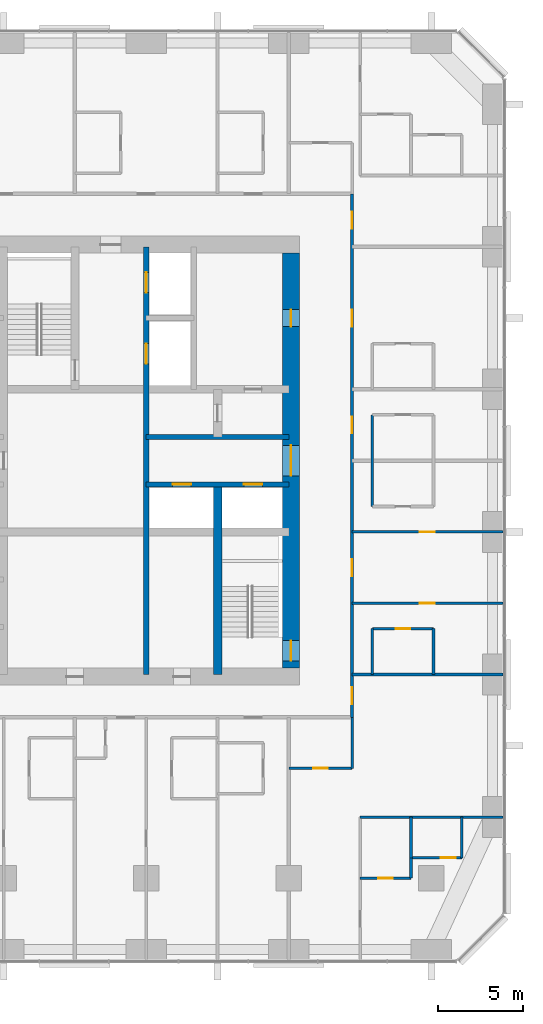
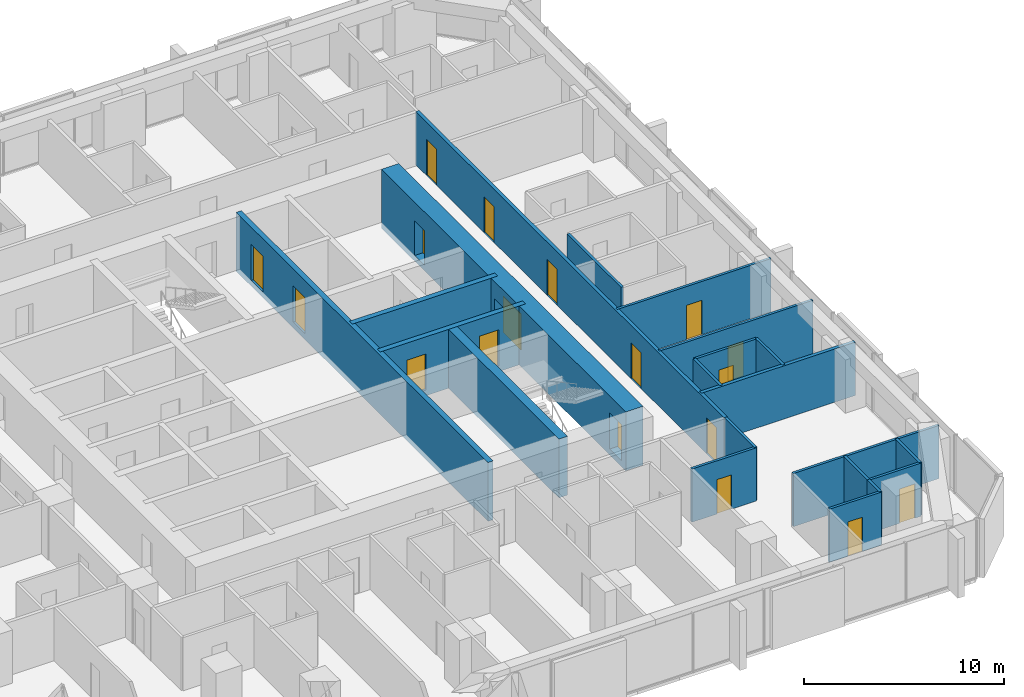
# One storey, part 10 of 14: 21 walls, 18 doors, 18 openings.
"""IFC4 building model written with IfcOpenShell, lengths in metres."""

import ifcopenshell
import ifcopenshell.guid

model = None  # the IFC model being written
_history = None  # IfcOwnerHistory: only IFC2X3 demands one
_inside = {}  # id of a spatial element -> (the spatial element, [elements in it])
_under = {}  # id of a project, library or spatial element -> (it, [spatial elements below it])
_declared = {}  # id of a project -> (the project, [libraries it declares])
_typed = {}  # id of a type object -> (the type object, [elements of that type])
_made_of = {}  # id of a material, layer set ... -> (it, [elements and type objects made of it])


def new_model(schema):
    """Start an empty IFC model of exactly this schema.

    Asked for "IFC4X3", IfcOpenShell would pick the latest addendum, in which some entities
    have other attributes; the version numbers below select the first issue.
    IFC2X3 requires an IfcOwnerHistory on every rooted entity: one is made here for all.
    """
    global model, _history
    if schema == "IFC4X3":
        model = ifcopenshell.file(schema_version=(4, 3, 0, 0))
    else:
        model = ifcopenshell.file(schema=schema)
    _inside.clear()
    _under.clear()
    _declared.clear()
    _typed.clear()
    _made_of.clear()
    _history = None
    if model.schema == "IFC2X3":
        org = make("IfcOrganization", Name="unknown")
        user = make(
            "IfcPersonAndOrganization",
            ThePerson=make("IfcPerson", FamilyName="unknown"),
            TheOrganization=org,
        )
        app = make(
            "IfcApplication",
            ApplicationDeveloper=org,
            Version="unknown",
            ApplicationFullName="unknown",
            ApplicationIdentifier="unknown",
        )
        _history = make(
            "IfcOwnerHistory",
            OwningUser=user,
            OwningApplication=app,
            ChangeAction="ADDED",
            CreationDate=0,
        )
    return model


def make(cls, **values):
    """One entity of the class cls with the attributes given. An attribute that is None is left unset."""
    return model.create_entity(
        cls, **{name: value for name, value in values.items() if value is not None}
    )


def rooted(cls, **values):
    """An entity with a GlobalId (a new one), such as an element, a storey or a relation."""
    return make(cls, GlobalId=ifcopenshell.guid.new(), OwnerHistory=_history, **values)


def si_unit(unit_type, name, prefix=None):
    """IfcSIUnit, for example si_unit("LENGTHUNIT", "METRE", prefix="MILLI")."""
    return make("IfcSIUnit", UnitType=unit_type, Prefix=prefix, Name=name)


def assignment(units):
    """IfcUnitAssignment: the units of a project."""
    return None if units is None else make("IfcUnitAssignment", Units=units)


def point(xyz):
    """IfcCartesianPoint."""
    return None if xyz is None else make("IfcCartesianPoint", Coordinates=xyz)


def direction(xyz):
    """IfcDirection."""
    return None if xyz is None else make("IfcDirection", DirectionRatios=xyz)


def frame(location, z_axis=None, x_axis=None):
    """IfcAxis2Placement3D, a coordinate frame: its origin and axes. An axis left out is left unset."""
    return make(
        "IfcAxis2Placement3D",
        Location=point(location),
        Axis=direction(z_axis),
        RefDirection=direction(x_axis),
    )


def frame_2d(location, x_axis=None):
    """IfcAxis2Placement2D, a coordinate frame in the plane: its origin and x axis."""
    return make(
        "IfcAxis2Placement2D", Location=point(location), RefDirection=direction(x_axis)
    )


def origin():
    """The frame at (0, 0, 0) with its axes left unset."""
    return frame((0.0, 0.0, 0.0))


def place(relative_to, where):
    """IfcLocalPlacement: puts the frame where relative to a parent placement (None: the world)."""
    return make(
        "IfcLocalPlacement", PlacementRelTo=relative_to, RelativePlacement=where
    )


def context(
    kind, dimensions, precision=None, world=None, true_north=None, identifier=None
):
    """IfcGeometricRepresentationContext, for example the 3D "Model" context."""
    return make(
        "IfcGeometricRepresentationContext",
        ContextIdentifier=identifier,
        ContextType=kind,
        CoordinateSpaceDimension=dimensions,
        Precision=precision,
        WorldCoordinateSystem=world,
        TrueNorth=true_north,
    )


def subcontext(parent, identifier, kind, view, scale=None):
    """IfcGeometricRepresentationSubContext, for example "Body" below "Model"."""
    return make(
        "IfcGeometricRepresentationSubContext",
        ContextIdentifier=identifier,
        ContextType=kind,
        ParentContext=parent,
        TargetScale=scale,
        TargetView=view,
    )


def project(units=None, contexts=None):
    """IfcProject with its units and contexts."""
    return rooted(
        "IfcProject",
        Name="project",
        RepresentationContexts=contexts,
        UnitsInContext=assignment(units),
    )


def spatial(cls, under=None, at=None, **own):
    """A site, building, storey or space (cls), placed at a placement, below another one or the project."""
    s = rooted(cls, ObjectPlacement=at, **own)
    if under is not None:
        _under.setdefault(under.id(), (under, []))[1].append(s)
    return s


def profile(cls, at=None, kind="AREA", **sizes):
    """A parametric profile (cls). Its sizes go by their IFC names, for example OverallWidth=200.0."""
    return make(cls, ProfileType=kind, Position=at, **sizes)


def rectangle(**sizes):
    """IfcRectangleProfileDef."""
    return profile("IfcRectangleProfileDef", **sizes)


def extrude(swept, where, along, depth):
    """IfcExtrudedAreaSolid: the profile swept, set in the frame where, extruded along a direction by depth."""
    return make(
        "IfcExtrudedAreaSolid",
        SweptArea=swept,
        Position=where,
        ExtrudedDirection=direction(along),
        Depth=depth,
    )


def shape(context_of_items, identifier, shape_type, items):
    """IfcShapeRepresentation: the items that make up one representation, for example the "Body"."""
    return make(
        "IfcShapeRepresentation",
        ContextOfItems=context_of_items,
        RepresentationIdentifier=identifier,
        RepresentationType=shape_type,
        Items=items,
    )


def material(Name=None, Category=None):
    """IfcMaterial."""
    return make("IfcMaterial", Name=Name, Category=Category)


def layer(
    of_material, thickness, ventilated=None, Name=None, Category=None, Priority=None
):
    """IfcMaterialLayer: one layer of a wall or slab, of a material (None: an air gap)."""
    return make(
        "IfcMaterialLayer",
        Material=of_material,
        LayerThickness=thickness,
        IsVentilated=ventilated,
        Name=Name,
        Category=Category,
        Priority=Priority,
    )


def layer_set(layers, Name=None):
    """IfcMaterialLayerSet."""
    return make("IfcMaterialLayerSet", MaterialLayers=layers, LayerSetName=Name)


def made_of(thing, what):
    """Note that an element or type object is made of a material, layer set ...; save() writes the relation."""
    if what is not None:
        _made_of.setdefault(what.id(), (what, []))[1].append(thing)
    return thing


def type_object(cls, material=None, **own):
    """A type object (cls), such as IfcWallType, which elements share."""
    return made_of(rooted(cls, **own), material)


def element(
    cls,
    number,
    at=None,
    inside=None,
    cuts=None,
    type_object=None,
    material=None,
    context=None,
    identifier="Body",
    shape_type=None,
    held_by="IfcProductDefinitionShape",
    body=None,
    shapes=None,
    **own,
):
    """One element of the class cls, such as IfcWall. Its Tag is "e" and its number.

    at: its placement. inside: the storey or other place that contains it. cuts: it is an
    opening in that element (IfcRelVoidsElement). A single representation is given by context,
    identifier, shape_type and body (its items); several are given by shapes. held_by: the class
    of the entity that holds the representations. save() writes the other relations.
    """
    e = rooted(cls, Tag="e%d" % number, ObjectPlacement=at, **own)
    if body is not None:
        shapes = [shape(context, identifier, shape_type, body)]
    if shapes is not None:
        e.Representation = make(held_by, Representations=shapes)
    if inside is not None:
        _inside.setdefault(inside.id(), (inside, []))[1].append(e)
    if cuts is not None:
        rooted(
            "IfcRelVoidsElement", RelatingBuildingElement=cuts, RelatedOpeningElement=e
        )
    if type_object is not None:
        _typed.setdefault(type_object.id(), (type_object, []))[1].append(e)
    return made_of(e, material)


def fill(opening, filler):
    """IfcRelFillsElement: the door or window that sits in an opening."""
    return rooted(
        "IfcRelFillsElement",
        RelatingOpeningElement=opening,
        RelatedBuildingElement=filler,
    )


def aggregate(whole, parts):
    """IfcRelAggregates: a whole, such as a stair, and the parts it consists of."""
    return rooted("IfcRelAggregates", RelatingObject=whole, RelatedObjects=parts)


def save(model, path):
    """Write the relations noted so far, then the file.

    IfcRelAggregates (storeys below a building ...), IfcRelContainedInSpatialStructure (elements
    in a storey), IfcRelDefinesByType, IfcRelAssociatesMaterial and IfcRelDeclares: one each for
    every whole, place, type object, material and project.
    """
    for whole, parts in _under.values():
        aggregate(whole, parts)
    for where, things in _inside.values():
        rooted(
            "IfcRelContainedInSpatialStructure",
            RelatedElements=things,
            RelatingStructure=where,
        )
    for kind, things in _typed.values():
        rooted("IfcRelDefinesByType", RelatedObjects=things, RelatingType=kind)
    for what, things in _made_of.values():
        rooted("IfcRelAssociatesMaterial", RelatedObjects=things, RelatingMaterial=what)
    for by, libraries in _declared.values():
        rooted("IfcRelDeclares", RelatingContext=by, RelatedDefinitions=libraries)
    model.write(path)


model = new_model("IFC4")

# Units and contexts
model_context = context("Model", 3, precision=1e-05, world=origin(), true_north=direction((0.0, 1.0)))
body_context = subcontext(model_context, "Body", "Model", "MODEL_VIEW")
ifc_project = project(units=[si_unit("LENGTHUNIT", "METRE"), si_unit("AREAUNIT", "SQUARE_METRE"), si_unit("VOLUMEUNIT", "CUBIC_METRE"), si_unit("PLANEANGLEUNIT", "RADIAN"), si_unit("MASSUNIT", "GRAM", prefix="KILO")], contexts=[model_context])

# Site, building, storey
site_placement = place(None, origin())
site = spatial("IfcSite", under=ifc_project, at=site_placement, CompositionType="ELEMENT")
building_placement = place(site_placement, origin())
building = spatial("IfcBuilding", under=site, at=building_placement, Name="Dunama Terrace Hotel", CompositionType="ELEMENT")
storey_placement = place(building_placement, frame((0.0, 0.0, 133.199951171875)))
storey = spatial("IfcBuildingStorey", under=building, at=storey_placement, Name="L34", CompositionType="ELEMENT", Elevation=133.199951171875)

# Walls
ifc_material_1 = material(Name="Gypsum board partition", Category="masonry")
ifc_layer_1 = layer(ifc_material_1, 0.14990234375)
ifc_layer_set_1 = layer_set([ifc_layer_1], Name="Bathroom partition 150")
wall_type_1 = type_object("IfcWallType", Name="Bathroom partition 150", PredefinedType="PARTITIONING", material=ifc_layer_set_1)
wall_1_placement = place(storey_placement, frame((45.72509765625, 11.27490234375, 0.0), z_axis=(0.0, 0.0, 1.0), x_axis=(0.0, 1.0, 0.0)))
element("IfcWall", 1, at=wall_1_placement, inside=storey, type_object=wall_type_1, Name="Bathroom partition 150 L34", PredefinedType="PARTITIONING", context=body_context, shape_type="SweptSolid", body=[
    extrude(rectangle(XDim=3.0, YDim=0.14990234375, at=frame_2d((1.5, 0.0))), origin(), (0.0, 0.0, 1.0), 3.25),
])
wall_2_placement = place(storey_placement, frame((46.925048828125, 16.800048828125, 0.0), z_axis=(0.0, 0.0, 1.0), x_axis=(0.0, 1.0, 0.0)))
element("IfcWall", 2, at=wall_2_placement, inside=storey, type_object=wall_type_1, Name="Bathroom partition 150 L34", PredefinedType="PARTITIONING", context=body_context, shape_type="SweptSolid", body=[
    extrude(rectangle(XDim=2.699951171875, YDim=0.14990234375, at=frame_2d((1.35009765625, 0.0))), origin(), (0.0, 0.0, 1.0), 3.25),
])
wall_3_placement = place(storey_placement, frame((46.925048828125, 26.699951171875, 0.0), z_axis=(0.0, 0.0, 1.0), x_axis=(0.0, 1.0, 0.0)))
element("IfcWall", 3, at=wall_3_placement, inside=storey, type_object=wall_type_1, Name="Bathroom partition 150 L34", PredefinedType="PARTITIONING", context=body_context, shape_type="SweptSolid", body=[
    extrude(rectangle(XDim=5.400146484375, YDim=0.14990234375, at=frame_2d((2.7001953125, 0.0))), origin(), (0.0, 0.0, 1.0), 3.25),
])
wall_4_placement = place(storey_placement, frame((49.199951171875, 4.800048828125, 0.0), z_axis=(0.0, 0.0, 1.0), x_axis=(0.0, 1.0, 0.0)))
element("IfcWall", 4, at=wall_4_placement, inside=storey, type_object=wall_type_1, Name="Bathroom partition 150 L34", PredefinedType="PARTITIONING", context=body_context, shape_type="SweptSolid", body=[
    extrude(rectangle(XDim=1.199951171875, YDim=0.14990234375, at=frame_2d((0.60009765625, 0.0))), origin(), (0.0, 0.0, 1.0), 3.25),
])
wall_5_placement = place(storey_placement, frame((50.52490234375, 16.800048828125, 0.0), z_axis=(0.0, 0.0, 1.0), x_axis=(0.0, 1.0, 0.0)))
element("IfcWall", 5, at=wall_5_placement, inside=storey, type_object=wall_type_1, Name="Bathroom partition 150 L34", PredefinedType="PARTITIONING", context=body_context, shape_type="SweptSolid", body=[
    extrude(rectangle(XDim=2.699951171875, YDim=0.14990234375, at=frame_2d((1.35009765625, 0.0))), origin(), (0.0, 0.0, 1.0), 3.25),
])

# Wall, opening, door
wall_6_placement = place(storey_placement, frame((46.199951171875, 4.800048828125, 0.0), z_axis=(0.0, 0.0, 1.0), x_axis=(1.0, 0.0, 0.0)))
wall_6 = element("IfcWall", 6, at=wall_6_placement, inside=storey, type_object=wall_type_1, Name="Bathroom partition 150 L34", PredefinedType="PARTITIONING", context=body_context, shape_type="SweptSolid", body=[
    extrude(rectangle(XDim=3.0, YDim=0.14990234375, at=frame_2d((1.5, 0.0))), origin(), (0.0, 0.0, 1.0), 3.25),
])
opening_1_placement = place(wall_6_placement, frame((1.074951171875, 0.0, 0.0)))
opening_1 = element("IfcOpeningElement", 7, at=opening_1_placement, cuts=wall_6, Name="Opening L34-36-058", PredefinedType="OPENING", context=body_context, shape_type="SweptSolid", body=[
    extrude(rectangle(XDim=0.85009765625, YDim=2.10009765625, at=frame_2d((0.425048828125, 1.050048828125))), frame((0.0, 0.0849609375, 0.0), z_axis=(0.0, -1.0, 0.0), x_axis=(1.0, 0.0, 0.0)), (0.0, 0.0, 1.0), 0.169921875),
])
ifc_material_2 = material(Name="Timber door with steel frame", Category="steel")
door_type_1 = type_object("IfcDoorType", Name="Bathroom door 850", OperationType="SINGLE_SWING_LEFT", PredefinedType="DOOR", material=ifc_material_2)
door_1_placement = place(opening_1_placement, origin())
door_1 = element("IfcDoor", 8, at=door_1_placement, inside=storey, type_object=door_type_1, Name="Door to en-suite bathroom L34-36-058, type D2", OperationType="SINGLE_SWING_RIGHT", OverallHeight=2.10009765625, OverallWidth=0.85009765625, PredefinedType="DOOR", context=body_context, shape_type="SweptSolid", body=[
    extrude(rectangle(XDim=0.85009765625, YDim=2.10009765625, at=frame_2d((0.425048828125, 1.050048828125))), frame((0.0, 0.02490234375, 0.0), z_axis=(0.0, -1.0, 0.0), x_axis=(1.0, 0.0, 0.0)), (0.0, 0.0, 1.0), 0.050048828125),
])
fill(opening_1, door_1)

wall_7_placement = place(storey_placement, frame((42.0, 11.27490234375, 0.0), z_axis=(0.0, 0.0, 1.0), x_axis=(1.0, 0.0, 0.0)))
wall_7 = element("IfcWall", 9, at=wall_7_placement, inside=storey, type_object=wall_type_1, Name="Bathroom partition 150 L34", PredefinedType="PARTITIONING", context=body_context, shape_type="SweptSolid", body=[
    extrude(rectangle(XDim=3.72509765625, YDim=0.14990234375, at=frame_2d((1.862548828125, 0.0))), origin(), (0.0, 0.0, 1.0), 3.25),
])
opening_2_placement = place(wall_7_placement, frame((1.43798828125, 0.0, 0.0)))
opening_2 = element("IfcOpeningElement", 10, at=opening_2_placement, cuts=wall_7, Name="Opening L34-36-056", PredefinedType="OPENING", context=body_context, shape_type="SweptSolid", body=[
    extrude(rectangle(XDim=0.85009765625, YDim=2.10009765625, at=frame_2d((0.425048828125, 1.050048828125))), frame((0.0, 0.0849609375, 0.0), z_axis=(0.0, -1.0, 0.0), x_axis=(1.0, 0.0, 0.0)), (0.0, 0.0, 1.0), 0.169921875),
])
door_2_placement = place(opening_2_placement, origin())
door_2 = element("IfcDoor", 11, at=door_2_placement, inside=storey, type_object=door_type_1, Name="Door to powder room L34-36-056, type D2", OperationType="SINGLE_SWING_LEFT", OverallHeight=2.10009765625, OverallWidth=0.85009765625, PredefinedType="DOOR", context=body_context, shape_type="SweptSolid", body=[
    extrude(rectangle(XDim=0.85009765625, YDim=2.10009765625, at=frame_2d((0.425048828125, 1.050048828125))), frame((0.0, 0.02490234375, 0.0), z_axis=(0.0, -1.0, 0.0), x_axis=(1.0, 0.0, 0.0)), (0.0, 0.0, 1.0), 0.050048828125),
])
fill(opening_2, door_2)

wall_8_placement = place(storey_placement, frame((46.925048828125, 19.5, 0.0), z_axis=(0.0, 0.0, 1.0), x_axis=(1.0, 0.0, 0.0)))
wall_8 = element("IfcWall", 12, at=wall_8_placement, inside=storey, type_object=wall_type_1, Name="Bathroom partition 150 L34", PredefinedType="PARTITIONING", context=body_context, shape_type="SweptSolid", body=[
    extrude(rectangle(XDim=3.599853515625, YDim=0.14990234375, at=frame_2d((1.7998046875, 0.0))), origin(), (0.0, 0.0, 1.0), 3.25),
])
opening_3_placement = place(wall_8_placement, frame((1.375, 0.0, 0.0)))
opening_3 = element("IfcOpeningElement", 13, at=opening_3_placement, cuts=wall_8, Name="Opening L34-36-025", PredefinedType="OPENING", context=body_context, shape_type="SweptSolid", body=[
    extrude(rectangle(XDim=0.85009765625, YDim=2.10009765625, at=frame_2d((0.425048828125, 1.050048828125))), frame((0.0, 0.0849609375, 0.0), z_axis=(0.0, -1.0, 0.0), x_axis=(1.0, 0.0, 0.0)), (0.0, 0.0, 1.0), 0.169921875),
])
door_3_placement = place(opening_3_placement, frame((0.85009765625, 0.0, 0.0), z_axis=(0.0, 0.0, 1.0), x_axis=(-1.0, 0.0, 0.0)))
door_3 = element("IfcDoor", 14, at=door_3_placement, inside=storey, type_object=door_type_1, Name="Door to en-suite bathroom L34-36-025, type D2", OperationType="SINGLE_SWING_RIGHT", OverallHeight=2.10009765625, OverallWidth=0.85009765625, PredefinedType="DOOR", context=body_context, shape_type="SweptSolid", body=[
    extrude(rectangle(XDim=0.85009765625, YDim=2.10009765625, at=frame_2d((0.425048828125, 1.050048828125))), frame((0.0, 0.025146484375, 0.0), z_axis=(0.0, -1.0, 0.0), x_axis=(1.0, 0.0, 0.0)), (0.0, 0.0, 1.0), 0.050048828125),
])
fill(opening_3, door_3)

# Wall, openings, doors
ifc_material_3 = material(Name="Concrete C50/60", Category="concrete")
ifc_layer_2 = layer(ifc_material_3, 0.300048828125)
ifc_layer_set_2 = layer_set([ifc_layer_2], Name="Core inner wall 300")
wall_type_2 = type_object("IfcWallType", Name="Core inner wall 300", PredefinedType="SHEAR", material=ifc_layer_set_2)
wall_9_placement = place(storey_placement, frame((33.60009765625, 16.800048828125, -0.349853515625), z_axis=(0.0, 0.0, 1.0), x_axis=(0.0, 1.0, 0.0)))
wall_9 = element("IfcWall", 15, at=wall_9_placement, inside=storey, type_object=wall_type_2, Name="Core inner wall 300 L34", PredefinedType="SHEAR", context=body_context, shape_type="SweptSolid", body=[
    extrude(rectangle(XDim=25.199951171875, YDim=0.300048828125, at=frame_2d((12.60009765625, 0.0))), origin(), (0.0, 0.0, 1.0), 3.599853515625),
])
opening_4_placement = place(wall_9_placement, frame((22.5, 0.0, 0.35009765625)))
opening_4 = element("IfcOpeningElement", 16, at=opening_4_placement, cuts=wall_9, Name="Opening L34-36-009", PredefinedType="OPENING", context=body_context, shape_type="SweptSolid", body=[
    extrude(rectangle(XDim=1.199951171875, YDim=2.199951171875, at=frame_2d((0.60009765625, 1.10009765625))), frame((0.0, 0.159912109375, 0.0), z_axis=(0.0, -1.0, 0.0), x_axis=(1.0, 0.0, 0.0)), (0.0, 0.0, 1.0), 0.320068359375),
])
opening_5_placement = place(wall_9_placement, frame((18.300048828125, 0.0, 0.35009765625)))
opening_5 = element("IfcOpeningElement", 17, at=opening_5_placement, cuts=wall_9, Name="Opening L34-36-010", PredefinedType="OPENING", context=body_context, shape_type="SweptSolid", body=[
    extrude(rectangle(XDim=1.199951171875, YDim=2.199951171875, at=frame_2d((0.60009765625, 1.10009765625))), frame((0.0, 0.159912109375, 0.0), z_axis=(0.0, -1.0, 0.0), x_axis=(1.0, 0.0, 0.0)), (0.0, 0.0, 1.0), 0.320068359375),
])
ifc_material_4 = material(Name="Stainless steel lift door", Category="steel")
door_type_2 = type_object("IfcDoorType", Name="Firefighting lift landing door 1200", OperationType="DOUBLE_DOOR_SLIDING", PredefinedType="DOOR", material=ifc_material_4)
door_4_placement = place(opening_4_placement, origin())
door_4 = element("IfcDoor", 18, at=door_4_placement, inside=storey, type_object=door_type_2, Name="Landing door FL1 L34-36-009, type LD2", OperationType="DOUBLE_DOOR_SLIDING", OverallHeight=2.199951171875, OverallWidth=1.199951171875, PredefinedType="DOOR", context=body_context, shape_type="SweptSolid", body=[
    extrude(rectangle(XDim=1.199951171875, YDim=2.199951171875, at=frame_2d((0.60009765625, 1.10009765625))), frame((0.0, 0.02490234375, 0.0), z_axis=(0.0, -1.0, 0.0), x_axis=(1.0, 0.0, 0.0)), (0.0, 0.0, 1.0), 0.050048828125),
])
fill(opening_4, door_4)
door_5_placement = place(opening_5_placement, origin())
door_5 = element("IfcDoor", 19, at=door_5_placement, inside=storey, type_object=door_type_2, Name="Landing door FL2 L34-36-010, type LD2", OperationType="DOUBLE_DOOR_SLIDING", OverallHeight=2.199951171875, OverallWidth=1.199951171875, PredefinedType="DOOR", context=body_context, shape_type="SweptSolid", body=[
    extrude(rectangle(XDim=1.199951171875, YDim=2.199951171875, at=frame_2d((0.60009765625, 1.10009765625))), frame((0.0, 0.02490234375, 0.0), z_axis=(0.0, -1.0, 0.0), x_axis=(1.0, 0.0, 0.0)), (0.0, 0.0, 1.0), 0.050048828125),
])
fill(opening_5, door_5)

wall_10_placement = place(storey_placement, frame((33.60009765625, 28.0, -0.349853515625), z_axis=(0.0, 0.0, 1.0), x_axis=(1.0, 0.0, 0.0)))
wall_10 = element("IfcWall", 20, at=wall_10_placement, inside=storey, type_object=wall_type_2, Name="Core inner wall 300 L34", PredefinedType="SHEAR", context=body_context, shape_type="SweptSolid", body=[
    extrude(rectangle(XDim=8.39990234375, YDim=0.300048828125, at=frame_2d((4.199951171875, 0.0))), origin(), (0.0, 0.0, 1.0), 3.599853515625),
])
opening_6_placement = place(wall_10_placement, frame((1.550048828125, 0.0, 0.35009765625)))
opening_6 = element("IfcOpeningElement", 21, at=opening_6_placement, cuts=wall_10, Name="Opening L34-36-003", PredefinedType="OPENING", context=body_context, shape_type="SweptSolid", body=[
    extrude(rectangle(XDim=1.10009765625, YDim=2.199951171875, at=frame_2d((0.550048828125, 1.10009765625))), frame((0.0, 0.159912109375, 0.0), z_axis=(0.0, -1.0, 0.0), x_axis=(1.0, 0.0, 0.0)), (0.0, 0.0, 1.0), 0.320068359375),
])
opening_7_placement = place(wall_10_placement, frame((5.75, 0.0, 0.35009765625)))
opening_7 = element("IfcOpeningElement", 22, at=opening_7_placement, cuts=wall_10, Name="Opening L34-36-004", PredefinedType="OPENING", context=body_context, shape_type="SweptSolid", body=[
    extrude(rectangle(XDim=1.10009765625, YDim=2.199951171875, at=frame_2d((0.550048828125, 1.10009765625))), frame((0.0, 0.159912109375, 0.0), z_axis=(0.0, -1.0, 0.0), x_axis=(1.0, 0.0, 0.0)), (0.0, 0.0, 1.0), 0.320068359375),
])
ifc_material_5 = material(Name="Stainless steel lift door", Category="steel")
door_type_3 = type_object("IfcDoorType", Name="Lift landing door 1100", OperationType="DOUBLE_DOOR_SLIDING", PredefinedType="DOOR", material=ifc_material_5)
door_6_placement = place(opening_6_placement, origin())
door_6 = element("IfcDoor", 23, at=door_6_placement, inside=storey, type_object=door_type_3, Name="Landing door PB1 L34-36-003, type LD1", OperationType="DOUBLE_DOOR_SLIDING", OverallHeight=2.199951171875, OverallWidth=1.10009765625, PredefinedType="DOOR", context=body_context, shape_type="SweptSolid", body=[
    extrude(rectangle(XDim=1.10009765625, YDim=2.199951171875, at=frame_2d((0.550048828125, 1.10009765625))), frame((0.0, 0.02490234375, 0.0), z_axis=(0.0, -1.0, 0.0), x_axis=(1.0, 0.0, 0.0)), (0.0, 0.0, 1.0), 0.050048828125),
])
fill(opening_6, door_6)
door_7_placement = place(opening_7_placement, origin())
door_7 = element("IfcDoor", 24, at=door_7_placement, inside=storey, type_object=door_type_3, Name="Landing door PB2 L34-36-004, type LD1", OperationType="DOUBLE_DOOR_SLIDING", OverallHeight=2.199951171875, OverallWidth=1.10009765625, PredefinedType="DOOR", context=body_context, shape_type="SweptSolid", body=[
    extrude(rectangle(XDim=1.10009765625, YDim=2.199951171875, at=frame_2d((0.550048828125, 1.10009765625))), frame((0.0, 0.02490234375, 0.0), z_axis=(0.0, -1.0, 0.0), x_axis=(1.0, 0.0, 0.0)), (0.0, 0.0, 1.0), 0.050048828125),
])
fill(opening_7, door_7)

# Walls
wall_11_placement = place(storey_placement, frame((33.60009765625, 30.800048828125, -0.349853515625), z_axis=(0.0, 0.0, 1.0), x_axis=(1.0, 0.0, 0.0)))
element("IfcWall", 25, at=wall_11_placement, inside=storey, type_object=wall_type_2, Name="Core inner wall 300 L34", PredefinedType="SHEAR", context=body_context, shape_type="SweptSolid", body=[
    extrude(rectangle(XDim=8.39990234375, YDim=0.300048828125, at=frame_2d((4.199951171875, 0.0))), origin(), (0.0, 0.0, 1.0), 3.599853515625),
])
ifc_material_6 = material(Name="Concrete C50/60", Category="concrete")
ifc_layer_3 = layer(ifc_material_6, 0.5)
ifc_layer_set_3 = layer_set([ifc_layer_3], Name="Core inner wall 500")
wall_type_3 = type_object("IfcWallType", Name="Core inner wall 500", PredefinedType="SHEAR", material=ifc_layer_set_3)
wall_12_placement = place(storey_placement, frame((37.800048828125, 16.800048828125, -0.349853515625), z_axis=(0.0, 0.0, 1.0), x_axis=(0.0, 1.0, 0.0)))
element("IfcWall", 26, at=wall_12_placement, inside=storey, type_object=wall_type_3, Name="Core inner wall 500 L34", PredefinedType="SHEAR", context=body_context, shape_type="SweptSolid", body=[
    extrude(rectangle(XDim=11.199951171875, YDim=0.5, at=frame_2d((5.60009765625, 0.0))), origin(), (0.0, 0.0, 1.0), 3.599853515625),
])

# Wall, openings, doors
ifc_material_7 = material(Name="Concrete C60/75", Category="concrete")
ifc_layer_4 = layer(ifc_material_7, 1.0)
ifc_layer_set_4 = layer_set([ifc_layer_4], Name="Core wall 1000")
wall_type_4 = type_object("IfcWallType", Name="Core wall 1000", PredefinedType="SHEAR", material=ifc_layer_set_4)
wall_13_placement = place(storey_placement, frame((42.125, 17.175048828125, -0.349853515625), z_axis=(0.0, 0.0, 1.0), x_axis=(0.0, 1.0, 0.0)))
wall_13 = element("IfcWall", 27, at=wall_13_placement, inside=storey, type_object=wall_type_4, Name="Core wall east L34", PredefinedType="SHEAR", context=body_context, shape_type="SweptSolid", body=[
    extrude(rectangle(XDim=24.449951171875, YDim=1.0, at=frame_2d((12.22509765625, 0.0))), origin(), (0.0, 0.0, 1.0), 3.599853515625),
])
opening_8_placement = place(wall_13_placement, frame((0.425048828125, 0.0, 0.35009765625)))
opening_8 = element("IfcOpeningElement", 28, at=opening_8_placement, cuts=wall_13, Name="Opening L34-36-002", PredefinedType="OPENING", context=body_context, shape_type="SweptSolid", body=[
    extrude(rectangle(XDim=1.199951171875, YDim=2.199951171875, at=frame_2d((0.60009765625, 1.10009765625))), frame((0.0, 0.510009765625, 0.0), z_axis=(0.0, -1.0, 0.0), x_axis=(1.0, 0.0, 0.0)), (0.0, 0.0, 1.0), 1.02001953125),
])
opening_9_placement = place(wall_13_placement, frame((11.324951171875, 0.0, 0.35009765625)))
opening_9 = element("IfcOpeningElement", 29, at=opening_9_placement, cuts=wall_13, Name="Opening L34-36-077", PredefinedType="OPENING", context=body_context, shape_type="SweptSolid", body=[
    extrude(rectangle(XDim=1.800048828125, YDim=2.199951171875, at=frame_2d((0.89990234375, 1.10009765625))), frame((0.0, 0.510009765625, 0.0), z_axis=(0.0, -1.0, 0.0), x_axis=(1.0, 0.0, 0.0)), (0.0, 0.0, 1.0), 1.02001953125),
])
opening_10_placement = place(wall_13_placement, frame((20.125, 0.0, 0.35009765625)))
opening_10 = element("IfcOpeningElement", 30, at=opening_10_placement, cuts=wall_13, Name="Opening L34-36-079", PredefinedType="OPENING", context=body_context, shape_type="SweptSolid", body=[
    extrude(rectangle(XDim=1.0, YDim=2.10009765625, at=frame_2d((0.5, 1.050048828125))), frame((0.0, 0.510009765625, 0.0), z_axis=(0.0, -1.0, 0.0), x_axis=(1.0, 0.0, 0.0)), (0.0, 0.0, 1.0), 1.02001953125),
])
ifc_material_8 = material(Name="Timber door with steel frame", Category="steel")
door_type_4 = type_object("IfcDoorType", Name="Lift lobby double door 1800", OperationType="DOUBLE_DOOR_DOUBLE_SWING", PredefinedType="DOOR", material=ifc_material_8)
door_8_placement = place(opening_9_placement, origin())
door_8 = element("IfcDoor", 31, at=door_8_placement, inside=storey, type_object=door_type_4, Name="Door to lift lobby L34-36-077, type D3", OperationType="DOUBLE_DOOR_DOUBLE_SWING", OverallHeight=2.199951171875, OverallWidth=1.800048828125, PredefinedType="DOOR", context=body_context, shape_type="SweptSolid", body=[
    extrude(rectangle(XDim=1.800048828125, YDim=2.199951171875, at=frame_2d((0.89990234375, 1.10009765625))), frame((0.0, 0.02490234375, 0.0), z_axis=(0.0, -1.0, 0.0), x_axis=(1.0, 0.0, 0.0)), (0.0, 0.0, 1.0), 0.050048828125),
])
fill(opening_9, door_8)
ifc_material_9 = material(Name="Timber door with steel frame", Category="steel")
door_type_5 = type_object("IfcDoorType", Name="Service door 1000", OperationType="SINGLE_SWING_LEFT", PredefinedType="DOOR", material=ifc_material_9)
door_9_placement = place(opening_10_placement, origin())
door_9 = element("IfcDoor", 32, at=door_9_placement, inside=storey, type_object=door_type_5, Name="Door to ice and vending room L34-36-079, type D7", OperationType="SINGLE_SWING_RIGHT", OverallHeight=2.10009765625, OverallWidth=1.0, PredefinedType="DOOR", context=body_context, shape_type="SweptSolid", body=[
    extrude(rectangle(XDim=1.0, YDim=2.10009765625, at=frame_2d((0.5, 1.050048828125))), frame((0.0, 0.02490234375, 0.0), z_axis=(0.0, -1.0, 0.0), x_axis=(1.0, 0.0, 0.0)), (0.0, 0.0, 1.0), 0.050048828125),
])
fill(opening_10, door_9)
ifc_material_10 = material(Name="Timber door with steel frame", Category="steel")
door_type_6 = type_object("IfcDoorType", Name="Stair door 1200", OperationType="SINGLE_SWING_LEFT", PredefinedType="DOOR", material=ifc_material_10)
door_10_placement = place(opening_8_placement, origin())
door_10 = element("IfcDoor", 33, at=door_10_placement, inside=storey, type_object=door_type_6, Name="Stair door ST2 L34-36-002, type D5", OperationType="SINGLE_SWING_LEFT", OverallHeight=2.199951171875, OverallWidth=1.199951171875, PredefinedType="DOOR", context=body_context, shape_type="SweptSolid", body=[
    extrude(rectangle(XDim=1.199951171875, YDim=2.199951171875, at=frame_2d((0.60009765625, 1.10009765625))), frame((0.0, 0.02490234375, 0.0), z_axis=(0.0, -1.0, 0.0), x_axis=(1.0, 0.0, 0.0)), (0.0, 0.0, 1.0), 0.050048828125),
])
fill(opening_8, door_10)

ifc_material_11 = material(Name="Concrete blockwork", Category="masonry")
ifc_layer_5 = layer(ifc_material_11, 0.199951171875)
ifc_layer_set_5 = layer_set([ifc_layer_5], Name="Corridor partition 200")
wall_type_5 = type_object("IfcWallType", Name="Corridor partition 200", PredefinedType="PARTITIONING", material=ifc_layer_set_5)
wall_14_placement = place(storey_placement, frame((45.72509765625, 45.125, 0.0), z_axis=(0.0, 0.0, 1.0), x_axis=(0.0, -1.0, 0.0)))
wall_14 = element("IfcWall", 34, at=wall_14_placement, inside=storey, type_object=wall_type_5, Name="Corridor partition 200 L34", PredefinedType="PARTITIONING", context=body_context, shape_type="SweptSolid", body=[
    extrude(rectangle(XDim=30.85009765625, YDim=0.199951171875, at=frame_2d((15.425048828125, 0.0))), origin(), (0.0, 0.0, 1.0), 3.25),
])
opening_11_placement = place(wall_14_placement, frame((21.52490234375, 0.0, 0.0)))
opening_11 = element("IfcOpeningElement", 35, at=opening_11_placement, cuts=wall_14, Name="Opening L34-36-023", PredefinedType="OPENING", context=body_context, shape_type="SweptSolid", body=[
    extrude(rectangle(XDim=1.0, YDim=2.199951171875, at=frame_2d((0.5, 1.10009765625))), frame((0.0, 0.10986328125, 0.0), z_axis=(0.0, -1.0, 0.0), x_axis=(1.0, 0.0, 0.0)), (0.0, 0.0, 1.0), 0.219970703125),
])
opening_12_placement = place(wall_14_placement, frame((13.125, 0.0, 0.0)))
opening_12 = element("IfcOpeningElement", 36, at=opening_12_placement, cuts=wall_14, Name="Opening L34-36-028", PredefinedType="OPENING", context=body_context, shape_type="SweptSolid", body=[
    extrude(rectangle(XDim=1.0, YDim=2.199951171875, at=frame_2d((0.5, 1.10009765625))), frame((0.0, 0.10986328125, 0.0), z_axis=(0.0, -1.0, 0.0), x_axis=(1.0, 0.0, 0.0)), (0.0, 0.0, 1.0), 0.219970703125),
])
opening_13_placement = place(wall_14_placement, frame((6.824951171875, 0.0, 0.0)))
opening_13 = element("IfcOpeningElement", 37, at=opening_13_placement, cuts=wall_14, Name="Opening L34-36-030", PredefinedType="OPENING", context=body_context, shape_type="SweptSolid", body=[
    extrude(rectangle(XDim=1.0, YDim=2.199951171875, at=frame_2d((0.5, 1.10009765625))), frame((0.0, 0.10986328125, 0.0), z_axis=(0.0, -1.0, 0.0), x_axis=(1.0, 0.0, 0.0)), (0.0, 0.0, 1.0), 0.219970703125),
])
opening_14_placement = place(wall_14_placement, frame((29.0869140625, 0.0, 0.0)))
opening_14 = element("IfcOpeningElement", 38, at=opening_14_placement, cuts=wall_14, Name="Opening L34-36-055", PredefinedType="OPENING", context=body_context, shape_type="SweptSolid", body=[
    extrude(rectangle(XDim=1.0, YDim=2.199951171875, at=frame_2d((0.5, 1.10009765625))), frame((0.0, 0.10986328125, 0.0), z_axis=(0.0, -1.0, 0.0), x_axis=(1.0, 0.0, 0.0)), (0.0, 0.0, 1.0), 0.219970703125),
])
opening_15_placement = place(wall_14_placement, frame((1.06298828125, 0.0, 0.0)))
opening_15 = element("IfcOpeningElement", 39, at=opening_15_placement, cuts=wall_14, Name="Opening L34-36-060", PredefinedType="OPENING", context=body_context, shape_type="SweptSolid", body=[
    extrude(rectangle(XDim=1.0, YDim=2.199951171875, at=frame_2d((0.5, 1.10009765625))), frame((0.0, 0.10986328125, 0.0), z_axis=(0.0, -1.0, 0.0), x_axis=(1.0, 0.0, 0.0)), (0.0, 0.0, 1.0), 0.219970703125),
])
ifc_material_12 = material(Name="Timber door with steel frame", Category="steel")
door_type_7 = type_object("IfcDoorType", Name="Guest room door 1000", OperationType="SINGLE_SWING_LEFT", PredefinedType="DOOR", material=ifc_material_12)
door_11_placement = place(opening_11_placement, origin())
door_11 = element("IfcDoor", 40, at=door_11_placement, inside=storey, type_object=door_type_7, Name="Door to family suite living room L34-36-023, type D1", OperationType="SINGLE_SWING_LEFT", OverallHeight=2.199951171875, OverallWidth=1.0, PredefinedType="DOOR", context=body_context, shape_type="SweptSolid", body=[
    extrude(rectangle(XDim=1.0, YDim=2.199951171875, at=frame_2d((0.5, 1.10009765625))), frame((0.0, 0.02490234375, 0.0), z_axis=(0.0, -1.0, 0.0), x_axis=(1.0, 0.0, 0.0)), (0.0, 0.0, 1.0), 0.050048828125),
])
fill(opening_11, door_11)
door_12_placement = place(opening_12_placement, origin())
door_12 = element("IfcDoor", 41, at=door_12_placement, inside=storey, type_object=door_type_7, Name="Door to premier room L34-36-028, type D1", OperationType="SINGLE_SWING_LEFT", OverallHeight=2.199951171875, OverallWidth=1.0, PredefinedType="DOOR", context=body_context, shape_type="SweptSolid", body=[
    extrude(rectangle(XDim=1.0, YDim=2.199951171875, at=frame_2d((0.5, 1.10009765625))), frame((0.0, 0.02490234375, 0.0), z_axis=(0.0, -1.0, 0.0), x_axis=(1.0, 0.0, 0.0)), (0.0, 0.0, 1.0), 0.050048828125),
])
fill(opening_12, door_12)
door_13_placement = place(opening_13_placement, origin())
door_13 = element("IfcDoor", 42, at=door_13_placement, inside=storey, type_object=door_type_7, Name="Door to junior suite L34-36-030, type D1", OperationType="SINGLE_SWING_RIGHT", OverallHeight=2.199951171875, OverallWidth=1.0, PredefinedType="DOOR", context=body_context, shape_type="SweptSolid", body=[
    extrude(rectangle(XDim=1.0, YDim=2.199951171875, at=frame_2d((0.5, 1.10009765625))), frame((0.0, 0.02490234375, 0.0), z_axis=(0.0, -1.0, 0.0), x_axis=(1.0, 0.0, 0.0)), (0.0, 0.0, 1.0), 0.050048828125),
])
fill(opening_13, door_13)
door_14_placement = place(opening_14_placement, origin())
door_14 = element("IfcDoor", 43, at=door_14_placement, inside=storey, type_object=door_type_7, Name="Door to corner suite living room L34-36-055, type D1", OperationType="SINGLE_SWING_LEFT", OverallHeight=2.199951171875, OverallWidth=1.0, PredefinedType="DOOR", context=body_context, shape_type="SweptSolid", body=[
    extrude(rectangle(XDim=1.0, YDim=2.199951171875, at=frame_2d((0.5, 1.10009765625))), frame((0.0, 0.02490234375, 0.0), z_axis=(0.0, -1.0, 0.0), x_axis=(1.0, 0.0, 0.0)), (0.0, 0.0, 1.0), 0.050048828125),
])
fill(opening_14, door_14)
door_15_placement = place(opening_15_placement, origin())
door_15 = element("IfcDoor", 44, at=door_15_placement, inside=storey, type_object=door_type_7, Name="Door to corner suite living room L34-36-060, type D1", OperationType="SINGLE_SWING_RIGHT", OverallHeight=2.199951171875, OverallWidth=1.0, PredefinedType="DOOR", context=body_context, shape_type="SweptSolid", body=[
    extrude(rectangle(XDim=1.0, YDim=2.199951171875, at=frame_2d((0.5, 1.10009765625))), frame((0.0, 0.02490234375, 0.0), z_axis=(0.0, -1.0, 0.0), x_axis=(1.0, 0.0, 0.0)), (0.0, 0.0, 1.0), 0.050048828125),
])
fill(opening_15, door_15)

# Walls
ifc_material_13 = material(Name="Concrete blockwork", Category="masonry")
ifc_layer_6 = layer(ifc_material_13, 0.199951171875)
ifc_layer_set_6 = layer_set([ifc_layer_6], Name="Party wall 200")
wall_type_6 = type_object("IfcWallType", Name="Party wall 200", PredefinedType="PARTITIONING", material=ifc_layer_set_6)
wall_15_placement = place(storey_placement, frame((45.72509765625, 16.800048828125, 0.0), z_axis=(0.0, 0.0, 1.0), x_axis=(1.0, 0.0, 0.0)))
element("IfcWall", 45, at=wall_15_placement, inside=storey, type_object=wall_type_6, Name="Party wall 200 L34", PredefinedType="PARTITIONING", context=body_context, shape_type="SweptSolid", body=[
    extrude(rectangle(XDim=8.892822265625, YDim=0.199951171875, at=frame_2d((4.4462890625, 0.0))), origin(), (0.0, 0.0, 1.0), 3.25),
])
ifc_material_14 = material(Name="Gypsum board partition", Category="masonry")
ifc_layer_7 = layer(ifc_material_14, 0.14990234375)
ifc_layer_set_7 = layer_set([ifc_layer_7], Name="Room partition 150")
wall_type_7 = type_object("IfcWallType", Name="Room partition 150", PredefinedType="PARTITIONING", material=ifc_layer_set_7)
for number, where, z_axis, x_axis, name in (
    (46, (49.199951171875, 6.0, 0.0), (0.0, 0.0, 1.0), (0.0, 1.0, 0.0), "Room partition 150 L34"),
    (47, (52.199951171875, 6.0, 0.0), (0.0, 0.0, 1.0), (0.0, 1.0, 0.0), "Room partition 150 L34"),
):
    element("IfcWall", number, at=place(storey_placement, frame(where, z_axis=z_axis, x_axis=x_axis)), inside=storey, type_object=wall_type_7, Name=name, PredefinedType="PARTITIONING", context=body_context, shape_type="SweptSolid", body=[
        extrude(rectangle(XDim=2.39990234375, YDim=0.14990234375, at=frame_2d((1.199951171875, 0.0))), origin(), (0.0, 0.0, 1.0), 3.25),
    ])

# Wall, opening, door
wall_16_placement = place(storey_placement, frame((49.199951171875, 6.0, 0.0), z_axis=(0.0, 0.0, 1.0), x_axis=(1.0, 0.0, 0.0)))
wall_16 = element("IfcWall", 48, at=wall_16_placement, inside=storey, type_object=wall_type_7, Name="Room partition 150 L34", PredefinedType="PARTITIONING", context=body_context, shape_type="SweptSolid", body=[
    extrude(rectangle(XDim=3.0, YDim=0.14990234375, at=frame_2d((1.5, 0.0))), origin(), (0.0, 0.0, 1.0), 3.25),
])
opening_16_placement = place(wall_16_placement, frame((1.75, 0.0, 0.0)))
opening_16 = element("IfcOpeningElement", 49, at=opening_16_placement, cuts=wall_16, Name="Opening L34-36-059", PredefinedType="OPENING", context=body_context, shape_type="SweptSolid", body=[
    extrude(rectangle(XDim=0.89990234375, YDim=2.10009765625, at=frame_2d((0.449951171875, 1.050048828125))), frame((0.0, 0.0849609375, 0.0), z_axis=(0.0, -1.0, 0.0), x_axis=(1.0, 0.0, 0.0)), (0.0, 0.0, 1.0), 0.169921875),
])
ifc_material_15 = material(Name="Timber door with steel frame", Category="steel")
door_type_8 = type_object("IfcDoorType", Name="Suite internal door 900", OperationType="SINGLE_SWING_LEFT", PredefinedType="DOOR", material=ifc_material_15)
door_16_placement = place(opening_16_placement, origin())
door_16 = element("IfcDoor", 50, at=door_16_placement, inside=storey, type_object=door_type_8, Name="Door to dressing room L34-36-059, type D16", OperationType="SINGLE_SWING_RIGHT", OverallHeight=2.10009765625, OverallWidth=0.89990234375, PredefinedType="DOOR", context=body_context, shape_type="SweptSolid", body=[
    extrude(rectangle(XDim=0.89990234375, YDim=2.10009765625, at=frame_2d((0.449951171875, 1.050048828125))), frame((0.0, 0.02490234375, 0.0), z_axis=(0.0, -1.0, 0.0), x_axis=(1.0, 0.0, 0.0)), (0.0, 0.0, 1.0), 0.050048828125),
])
fill(opening_16, door_16)

# Wall
wall_17_placement = place(storey_placement, frame((46.199951171875, 8.39990234375, 0.0), z_axis=(0.0, 0.0, 1.0), x_axis=(1.0, 0.0, 0.0)))
element("IfcWall", 51, at=wall_17_placement, inside=storey, type_object=wall_type_7, Name="Room partition 150 L34", PredefinedType="PARTITIONING", context=body_context, shape_type="SweptSolid", body=[
    extrude(rectangle(XDim=8.41796875, YDim=0.14990234375, at=frame_2d((4.208984375, 0.0))), origin(), (0.0, 0.0, 1.0), 3.25),
])

# Wall, opening, door
wall_18_placement = place(storey_placement, frame((45.72509765625, 21.0, 0.0), z_axis=(0.0, 0.0, 1.0), x_axis=(1.0, 0.0, 0.0)))
wall_18 = element("IfcWall", 52, at=wall_18_placement, inside=storey, type_object=wall_type_7, Name="Room partition 150 L34", PredefinedType="PARTITIONING", context=body_context, shape_type="SweptSolid", body=[
    extrude(rectangle(XDim=8.892822265625, YDim=0.14990234375, at=frame_2d((4.4462890625, 0.0))), origin(), (0.0, 0.0, 1.0), 3.25),
])
opening_17_placement = place(wall_18_placement, frame((3.987060546875, 0.0, 0.0)))
opening_17 = element("IfcOpeningElement", 53, at=opening_17_placement, cuts=wall_18, Name="Opening L34-36-024", PredefinedType="OPENING", context=body_context, shape_type="SweptSolid", body=[
    extrude(rectangle(XDim=0.89990234375, YDim=2.10009765625, at=frame_2d((0.449951171875, 1.050048828125))), frame((0.0, 0.0849609375, 0.0), z_axis=(0.0, -1.0, 0.0), x_axis=(1.0, 0.0, 0.0)), (0.0, 0.0, 1.0), 0.169921875),
])
door_17_placement = place(opening_17_placement, frame((0.89990234375, 0.0, 0.0), z_axis=(0.0, 0.0, 1.0), x_axis=(-1.0, 0.0, 0.0)))
door_17 = element("IfcDoor", 54, at=door_17_placement, inside=storey, type_object=door_type_8, Name="Door to family suite bedroom L34-36-024, type D16", OperationType="SINGLE_SWING_RIGHT", OverallHeight=2.10009765625, OverallWidth=0.89990234375, PredefinedType="DOOR", context=body_context, shape_type="SweptSolid", body=[
    extrude(rectangle(XDim=0.89990234375, YDim=2.10009765625, at=frame_2d((0.449951171875, 1.050048828125))), frame((0.0, 0.025146484375, 0.0), z_axis=(0.0, -1.0, 0.0), x_axis=(1.0, 0.0, 0.0)), (0.0, 0.0, 1.0), 0.050048828125),
])
fill(opening_17, door_17)

wall_19_placement = place(storey_placement, frame((45.72509765625, 25.199951171875, 0.0), z_axis=(0.0, 0.0, 1.0), x_axis=(1.0, 0.0, 0.0)))
wall_19 = element("IfcWall", 55, at=wall_19_placement, inside=storey, type_object=wall_type_7, Name="Room partition 150 L34", PredefinedType="PARTITIONING", context=body_context, shape_type="SweptSolid", body=[
    extrude(rectangle(XDim=8.892822265625, YDim=0.14990234375, at=frame_2d((4.4462890625, 0.0))), origin(), (0.0, 0.0, 1.0), 3.25),
])
opening_18_placement = place(wall_19_placement, frame((3.987060546875, 0.0, 0.0)))
opening_18 = element("IfcOpeningElement", 56, at=opening_18_placement, cuts=wall_19, Name="Opening L34-36-026", PredefinedType="OPENING", context=body_context, shape_type="SweptSolid", body=[
    extrude(rectangle(XDim=0.89990234375, YDim=2.10009765625, at=frame_2d((0.449951171875, 1.050048828125))), frame((0.0, 0.0849609375, 0.0), z_axis=(0.0, -1.0, 0.0), x_axis=(1.0, 0.0, 0.0)), (0.0, 0.0, 1.0), 0.169921875),
])
door_18_placement = place(opening_18_placement, origin())
door_18 = element("IfcDoor", 57, at=door_18_placement, inside=storey, type_object=door_type_8, Name="Door to family suite second bedroom L34-36-026, type D16", OperationType="SINGLE_SWING_LEFT", OverallHeight=2.10009765625, OverallWidth=0.89990234375, PredefinedType="DOOR", context=body_context, shape_type="SweptSolid", body=[
    extrude(rectangle(XDim=0.89990234375, YDim=2.10009765625, at=frame_2d((0.449951171875, 1.050048828125))), frame((0.0, 0.02490234375, 0.0), z_axis=(0.0, -1.0, 0.0), x_axis=(1.0, 0.0, 0.0)), (0.0, 0.0, 1.0), 0.050048828125),
])
fill(opening_18, door_18)

save(model, "model.ifc")
